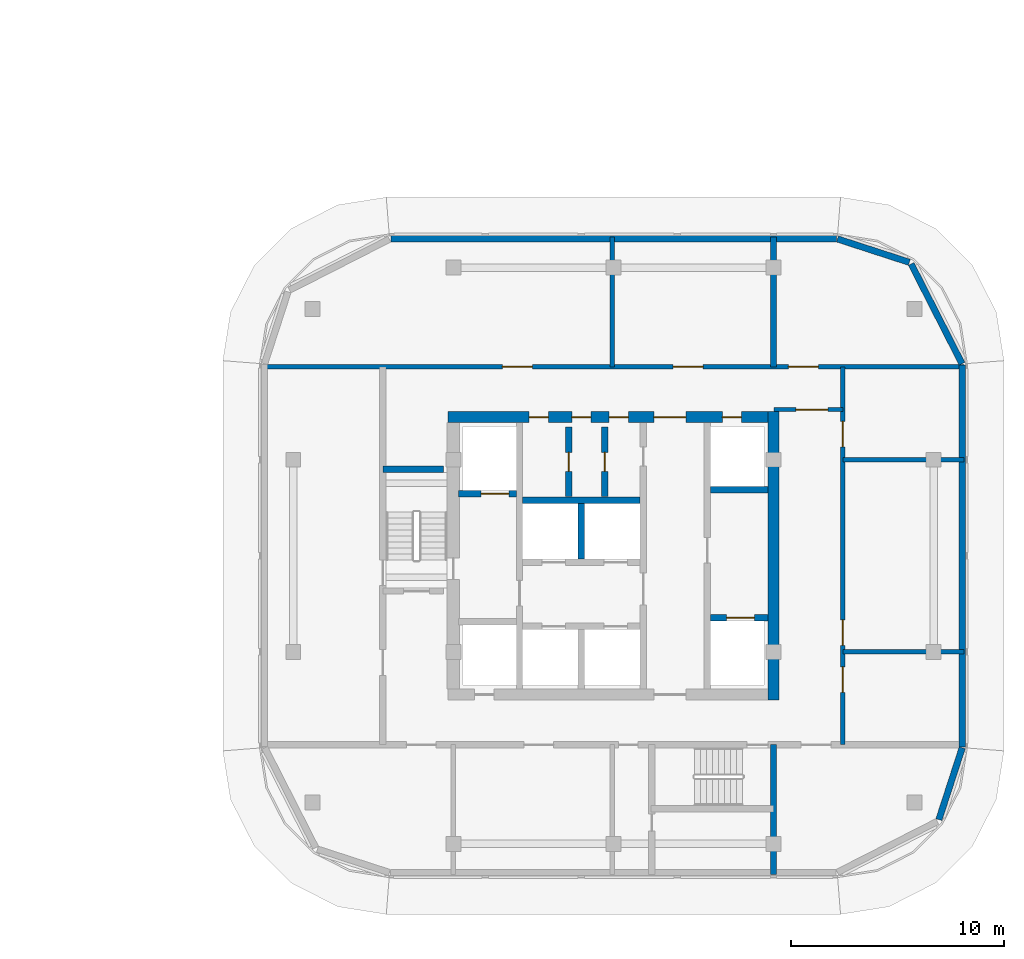
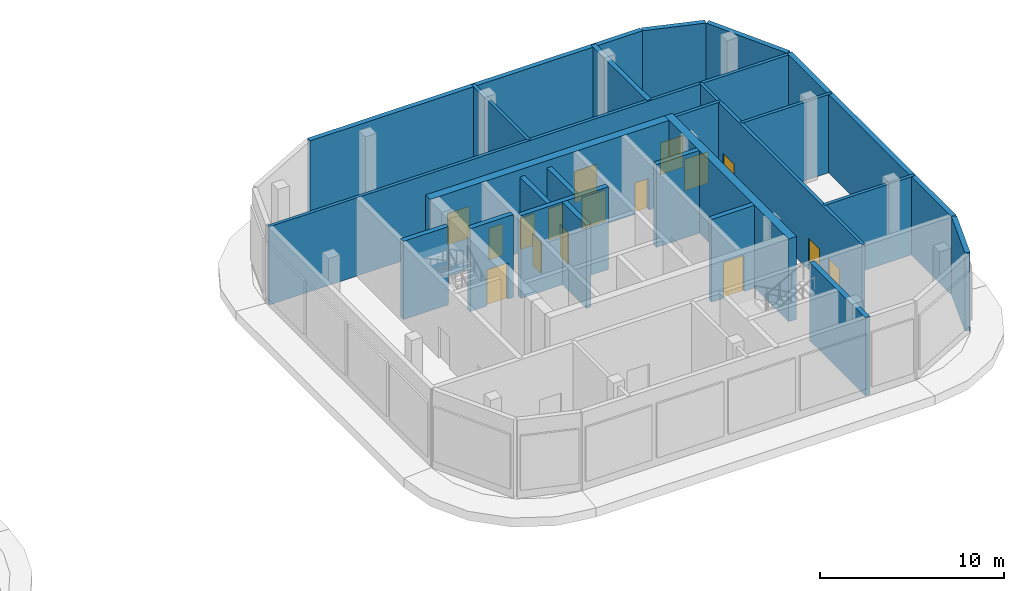
# One storey, part 8 of 23: 23 walls, 16 doors, 16 openings.
"""IFC4 building model written with IfcOpenShell, lengths in metres."""

import ifcopenshell
import ifcopenshell.guid

model = None  # the IFC model being written
_history = None  # IfcOwnerHistory: only IFC2X3 demands one
_inside = {}  # id of a spatial element -> (the spatial element, [elements in it])
_under = {}  # id of a project, library or spatial element -> (it, [spatial elements below it])
_declared = {}  # id of a project -> (the project, [libraries it declares])
_typed = {}  # id of a type object -> (the type object, [elements of that type])
_made_of = {}  # id of a material, layer set ... -> (it, [elements and type objects made of it])


def new_model(schema):
    """Start an empty IFC model of exactly this schema.

    Asked for "IFC4X3", IfcOpenShell would pick the latest addendum, in which some entities
    have other attributes; the version numbers below select the first issue.
    IFC2X3 requires an IfcOwnerHistory on every rooted entity: one is made here for all.
    """
    global model, _history
    if schema == "IFC4X3":
        model = ifcopenshell.file(schema_version=(4, 3, 0, 0))
    else:
        model = ifcopenshell.file(schema=schema)
    _inside.clear()
    _under.clear()
    _declared.clear()
    _typed.clear()
    _made_of.clear()
    _history = None
    if model.schema == "IFC2X3":
        org = make("IfcOrganization", Name="unknown")
        user = make(
            "IfcPersonAndOrganization",
            ThePerson=make("IfcPerson", FamilyName="unknown"),
            TheOrganization=org,
        )
        app = make(
            "IfcApplication",
            ApplicationDeveloper=org,
            Version="unknown",
            ApplicationFullName="unknown",
            ApplicationIdentifier="unknown",
        )
        _history = make(
            "IfcOwnerHistory",
            OwningUser=user,
            OwningApplication=app,
            ChangeAction="ADDED",
            CreationDate=0,
        )
    return model


def make(cls, **values):
    """One entity of the class cls with the attributes given. An attribute that is None is left unset."""
    return model.create_entity(
        cls, **{name: value for name, value in values.items() if value is not None}
    )


def rooted(cls, **values):
    """An entity with a GlobalId (a new one), such as an element, a storey or a relation."""
    return make(cls, GlobalId=ifcopenshell.guid.new(), OwnerHistory=_history, **values)


def si_unit(unit_type, name, prefix=None):
    """IfcSIUnit, for example si_unit("LENGTHUNIT", "METRE", prefix="MILLI")."""
    return make("IfcSIUnit", UnitType=unit_type, Prefix=prefix, Name=name)


def assignment(units):
    """IfcUnitAssignment: the units of a project."""
    return None if units is None else make("IfcUnitAssignment", Units=units)


def point(xyz):
    """IfcCartesianPoint."""
    return None if xyz is None else make("IfcCartesianPoint", Coordinates=xyz)


def direction(xyz):
    """IfcDirection."""
    return None if xyz is None else make("IfcDirection", DirectionRatios=xyz)


def frame(location, z_axis=None, x_axis=None):
    """IfcAxis2Placement3D, a coordinate frame: its origin and axes. An axis left out is left unset."""
    return make(
        "IfcAxis2Placement3D",
        Location=point(location),
        Axis=direction(z_axis),
        RefDirection=direction(x_axis),
    )


def frame_2d(location, x_axis=None):
    """IfcAxis2Placement2D, a coordinate frame in the plane: its origin and x axis."""
    return make(
        "IfcAxis2Placement2D", Location=point(location), RefDirection=direction(x_axis)
    )


def origin():
    """The frame at (0, 0, 0) with its axes left unset."""
    return frame((0.0, 0.0, 0.0))


def place(relative_to, where):
    """IfcLocalPlacement: puts the frame where relative to a parent placement (None: the world)."""
    return make(
        "IfcLocalPlacement", PlacementRelTo=relative_to, RelativePlacement=where
    )


def context(
    kind, dimensions, precision=None, world=None, true_north=None, identifier=None
):
    """IfcGeometricRepresentationContext, for example the 3D "Model" context."""
    return make(
        "IfcGeometricRepresentationContext",
        ContextIdentifier=identifier,
        ContextType=kind,
        CoordinateSpaceDimension=dimensions,
        Precision=precision,
        WorldCoordinateSystem=world,
        TrueNorth=true_north,
    )


def subcontext(parent, identifier, kind, view, scale=None):
    """IfcGeometricRepresentationSubContext, for example "Body" below "Model"."""
    return make(
        "IfcGeometricRepresentationSubContext",
        ContextIdentifier=identifier,
        ContextType=kind,
        ParentContext=parent,
        TargetScale=scale,
        TargetView=view,
    )


def project(units=None, contexts=None):
    """IfcProject with its units and contexts."""
    return rooted(
        "IfcProject",
        Name="project",
        RepresentationContexts=contexts,
        UnitsInContext=assignment(units),
    )


def spatial(cls, under=None, at=None, **own):
    """A site, building, storey or space (cls), placed at a placement, below another one or the project."""
    s = rooted(cls, ObjectPlacement=at, **own)
    if under is not None:
        _under.setdefault(under.id(), (under, []))[1].append(s)
    return s


def profile(cls, at=None, kind="AREA", **sizes):
    """A parametric profile (cls). Its sizes go by their IFC names, for example OverallWidth=200.0."""
    return make(cls, ProfileType=kind, Position=at, **sizes)


def rectangle(**sizes):
    """IfcRectangleProfileDef."""
    return profile("IfcRectangleProfileDef", **sizes)


def extrude(swept, where, along, depth):
    """IfcExtrudedAreaSolid: the profile swept, set in the frame where, extruded along a direction by depth."""
    return make(
        "IfcExtrudedAreaSolid",
        SweptArea=swept,
        Position=where,
        ExtrudedDirection=direction(along),
        Depth=depth,
    )


def shape(context_of_items, identifier, shape_type, items):
    """IfcShapeRepresentation: the items that make up one representation, for example the "Body"."""
    return make(
        "IfcShapeRepresentation",
        ContextOfItems=context_of_items,
        RepresentationIdentifier=identifier,
        RepresentationType=shape_type,
        Items=items,
    )


def material(Name=None, Category=None):
    """IfcMaterial."""
    return make("IfcMaterial", Name=Name, Category=Category)


def layer(
    of_material, thickness, ventilated=None, Name=None, Category=None, Priority=None
):
    """IfcMaterialLayer: one layer of a wall or slab, of a material (None: an air gap)."""
    return make(
        "IfcMaterialLayer",
        Material=of_material,
        LayerThickness=thickness,
        IsVentilated=ventilated,
        Name=Name,
        Category=Category,
        Priority=Priority,
    )


def layer_set(layers, Name=None):
    """IfcMaterialLayerSet."""
    return make("IfcMaterialLayerSet", MaterialLayers=layers, LayerSetName=Name)


def made_of(thing, what):
    """Note that an element or type object is made of a material, layer set ...; save() writes the relation."""
    if what is not None:
        _made_of.setdefault(what.id(), (what, []))[1].append(thing)
    return thing


def type_object(cls, material=None, **own):
    """A type object (cls), such as IfcWallType, which elements share."""
    return made_of(rooted(cls, **own), material)


def element(
    cls,
    number,
    at=None,
    inside=None,
    cuts=None,
    type_object=None,
    material=None,
    context=None,
    identifier="Body",
    shape_type=None,
    held_by="IfcProductDefinitionShape",
    body=None,
    shapes=None,
    **own,
):
    """One element of the class cls, such as IfcWall. Its Tag is "e" and its number.

    at: its placement. inside: the storey or other place that contains it. cuts: it is an
    opening in that element (IfcRelVoidsElement). A single representation is given by context,
    identifier, shape_type and body (its items); several are given by shapes. held_by: the class
    of the entity that holds the representations. save() writes the other relations.
    """
    e = rooted(cls, Tag="e%d" % number, ObjectPlacement=at, **own)
    if body is not None:
        shapes = [shape(context, identifier, shape_type, body)]
    if shapes is not None:
        e.Representation = make(held_by, Representations=shapes)
    if inside is not None:
        _inside.setdefault(inside.id(), (inside, []))[1].append(e)
    if cuts is not None:
        rooted(
            "IfcRelVoidsElement", RelatingBuildingElement=cuts, RelatedOpeningElement=e
        )
    if type_object is not None:
        _typed.setdefault(type_object.id(), (type_object, []))[1].append(e)
    return made_of(e, material)


def fill(opening, filler):
    """IfcRelFillsElement: the door or window that sits in an opening."""
    return rooted(
        "IfcRelFillsElement",
        RelatingOpeningElement=opening,
        RelatedBuildingElement=filler,
    )


def aggregate(whole, parts):
    """IfcRelAggregates: a whole, such as a stair, and the parts it consists of."""
    return rooted("IfcRelAggregates", RelatingObject=whole, RelatedObjects=parts)


def save(model, path):
    """Write the relations noted so far, then the file.

    IfcRelAggregates (storeys below a building ...), IfcRelContainedInSpatialStructure (elements
    in a storey), IfcRelDefinesByType, IfcRelAssociatesMaterial and IfcRelDeclares: one each for
    every whole, place, type object, material and project.
    """
    for whole, parts in _under.values():
        aggregate(whole, parts)
    for where, things in _inside.values():
        rooted(
            "IfcRelContainedInSpatialStructure",
            RelatedElements=things,
            RelatingStructure=where,
        )
    for kind, things in _typed.values():
        rooted("IfcRelDefinesByType", RelatedObjects=things, RelatingType=kind)
    for what, things in _made_of.values():
        rooted("IfcRelAssociatesMaterial", RelatedObjects=things, RelatingMaterial=what)
    for by, libraries in _declared.values():
        rooted("IfcRelDeclares", RelatingContext=by, RelatedDefinitions=libraries)
    model.write(path)


model = new_model("IFC4")

# Units and contexts
model_context = context("Model", 3, precision=1e-05, world=origin(), true_north=direction((0.0, 1.0)))
body_context = subcontext(model_context, "Body", "Model", "MODEL_VIEW")
ifc_project = project(units=[si_unit("LENGTHUNIT", "METRE"), si_unit("AREAUNIT", "SQUARE_METRE"), si_unit("VOLUMEUNIT", "CUBIC_METRE"), si_unit("PLANEANGLEUNIT", "RADIAN"), si_unit("MASSUNIT", "GRAM", prefix="KILO")], contexts=[model_context])

# Site, building, storey
site_placement = place(None, origin())
site = spatial("IfcSite", under=ifc_project, at=site_placement, CompositionType="ELEMENT")
building_placement = place(site_placement, origin())
building = spatial("IfcBuilding", under=site, at=building_placement, Name="Ogive Portal Towers", CompositionType="ELEMENT")
storey_placement = place(building_placement, frame((0.0, 0.0, 81.60009765625)))
storey = spatial("IfcBuildingStorey", under=building, at=storey_placement, Name="L19", CompositionType="ELEMENT", Elevation=81.60009765625)

# Walls
ifc_material_1 = material(Name="Concrete C60/75", Category="concrete")
ifc_layer_1 = layer(ifc_material_1, 0.300048828125)
ifc_layer_set_1 = layer_set([ifc_layer_1], Name="CORE WALL 300 C60")
wall_type_1 = type_object("IfcWallType", Name="CORE WALL 300 C60", PredefinedType="SHEAR", material=ifc_layer_set_1)
wall_1_placement = place(storey_placement, frame((135.0, 30.85009765625, 0.0), z_axis=(0.0, 0.0, 1.0), x_axis=(0.0, 1.0, 0.0)))
element("IfcWall", 1, at=wall_1_placement, inside=storey, type_object=wall_type_1, Name="Tower B core wall BX5 L19", PredefinedType="SHEAR", context=body_context, shape_type="SweptSolid", body=[
    extrude(rectangle(XDim=2.599853515625, YDim=0.300048828125, at=frame_2d((1.2998046875, 0.0))), origin(), (0.0, 0.0, 1.0), 5.5),
])
wall_2_placement = place(storey_placement, frame((132.25, 33.60009765625, 0.0), z_axis=(0.0, 0.0, 1.0), x_axis=(1.0, 0.0, 0.0)))
element("IfcWall", 2, at=wall_2_placement, inside=storey, type_object=wall_type_1, Name="Tower B core wall BY3 L19", PredefinedType="SHEAR", context=body_context, shape_type="SweptSolid", body=[
    extrude(rectangle(XDim=5.5, YDim=0.300048828125, at=frame_2d((2.75, 0.0))), origin(), (0.0, 0.0, 1.0), 5.5),
])

# Wall, opening, door
wall_3_placement = place(storey_placement, frame((129.25, 33.89990234375, 0.0), z_axis=(0.0, 0.0, 1.0), x_axis=(1.0, 0.0, 0.0)))
wall_3 = element("IfcWall", 3, at=wall_3_placement, inside=storey, type_object=wall_type_1, Name="Tower B core wall BY5 L19", PredefinedType="SHEAR", context=body_context, shape_type="SweptSolid", body=[
    extrude(rectangle(XDim=2.699951171875, YDim=0.300048828125, at=frame_2d((1.35009765625, 0.0))), origin(), (0.0, 0.0, 1.0), 5.5),
])
opening_1_placement = place(wall_3_placement, frame((1.050048828125, 0.0, 0.0)))
opening_1 = element("IfcOpeningElement", 4, at=opening_1_placement, cuts=wall_3, Name="Opening B06-031", PredefinedType="OPENING", context=body_context, shape_type="SweptSolid", body=[
    extrude(rectangle(XDim=1.300048828125, YDim=2.39990234375, at=frame_2d((0.64990234375, 1.199951171875))), frame((0.0, 0.16015625, 0.0), z_axis=(0.0, -1.0, 0.0), x_axis=(1.0, 0.0, 0.0)), (0.0, 0.0, 1.0), 0.320068359375),
])
ifc_material_2 = material(Name="Stainless steel", Category="steel")
door_type_1 = type_object("IfcDoorType", Name="DT-LD-1300x2400", OperationType="SLIDING_TO_LEFT", PredefinedType="DOOR", material=ifc_material_2)
door_1_placement = place(opening_1_placement, origin())
door_1 = element("IfcDoor", 5, at=door_1_placement, inside=storey, type_object=door_type_1, Name="Door B06-031", OperationType="SLIDING_TO_LEFT", OverallHeight=2.39990234375, OverallWidth=1.300048828125, PredefinedType="DOOR", context=body_context, shape_type="SweptSolid", body=[
    extrude(rectangle(XDim=1.300048828125, YDim=2.39990234375, at=frame_2d((0.64990234375, 1.199951171875))), frame((0.0, 0.02490234375, 0.0), z_axis=(0.0, -1.0, 0.0), x_axis=(1.0, 0.0, 0.0)), (0.0, 0.0, 1.0), 0.050048828125),
])
fill(opening_1, door_1)

wall_4_placement = place(storey_placement, frame((141.050048828125, 28.10009765625, 0.0), z_axis=(0.0, 0.0, 1.0), x_axis=(1.0, 0.0, 0.0)))
wall_4 = element("IfcWall", 6, at=wall_4_placement, inside=storey, type_object=wall_type_1, Name="Tower B core wall BY6 L19", PredefinedType="SHEAR", context=body_context, shape_type="SweptSolid", body=[
    extrude(rectangle(XDim=2.699951171875, YDim=0.300048828125, at=frame_2d((1.35009765625, 0.0))), origin(), (0.0, 0.0, 1.0), 5.5),
])
opening_2_placement = place(wall_4_placement, frame((0.75, 0.0, 0.0)))
opening_2 = element("IfcOpeningElement", 7, at=opening_2_placement, cuts=wall_4, Name="Opening B06-032", PredefinedType="OPENING", context=body_context, shape_type="SweptSolid", body=[
    extrude(rectangle(XDim=1.300048828125, YDim=2.39990234375, at=frame_2d((0.64990234375, 1.199951171875))), frame((0.0, 0.16015625, 0.0), z_axis=(0.0, -1.0, 0.0), x_axis=(1.0, 0.0, 0.0)), (0.0, 0.0, 1.0), 0.320068359375),
])
door_2_placement = place(opening_2_placement, origin())
door_2 = element("IfcDoor", 8, at=door_2_placement, inside=storey, type_object=door_type_1, Name="Door B06-032", OperationType="SLIDING_TO_LEFT", OverallHeight=2.39990234375, OverallWidth=1.300048828125, PredefinedType="DOOR", context=body_context, shape_type="SweptSolid", body=[
    extrude(rectangle(XDim=1.300048828125, YDim=2.39990234375, at=frame_2d((0.64990234375, 1.199951171875))), frame((0.0, 0.02490234375, 0.0), z_axis=(0.0, -1.0, 0.0), x_axis=(1.0, 0.0, 0.0)), (0.0, 0.0, 1.0), 0.050048828125),
])
fill(opening_2, door_2)

# Walls
wall_5_placement = place(storey_placement, frame((141.050048828125, 34.10009765625, 0.0), z_axis=(0.0, 0.0, 1.0), x_axis=(1.0, 0.0, 0.0)))
element("IfcWall", 9, at=wall_5_placement, inside=storey, type_object=wall_type_1, Name="Tower B core wall BY7 L19", PredefinedType="SHEAR", context=body_context, shape_type="SweptSolid", body=[
    extrude(rectangle(XDim=2.699951171875, YDim=0.300048828125, at=frame_2d((1.35009765625, 0.0))), origin(), (0.0, 0.0, 1.0), 5.5),
])
ifc_layer_2 = layer(ifc_material_1, 0.5)
ifc_layer_set_2 = layer_set([ifc_layer_2], Name="CORE WALL 500 C60")
wall_type_2 = type_object("IfcWallType", Name="CORE WALL 500 C60", PredefinedType="SHEAR", material=ifc_layer_set_2)
wall_6_placement = place(storey_placement, frame((144.0, 24.25, 0.0), z_axis=(0.0, 0.0, 1.0), x_axis=(0.0, 1.0, 0.0)))
element("IfcWall", 10, at=wall_6_placement, inside=storey, type_object=wall_type_2, Name="Tower B core wall BE L19", PredefinedType="SHEAR", context=body_context, shape_type="SweptSolid", body=[
    extrude(rectangle(XDim=13.5, YDim=0.5, at=frame_2d((6.75, 0.0))), origin(), (0.0, 0.0, 1.0), 5.5),
])

# Wall, openings, doors
wall_7_placement = place(storey_placement, frame((128.75, 37.5, 0.0), z_axis=(0.0, 0.0, 1.0), x_axis=(1.0, 0.0, 0.0)))
wall_7 = element("IfcWall", 11, at=wall_7_placement, inside=storey, type_object=wall_type_2, Name="Tower B core wall BN L19", PredefinedType="SHEAR", context=body_context, shape_type="SweptSolid", body=[
    extrude(rectangle(XDim=15.0, YDim=0.5, at=frame_2d((7.5, 0.0))), origin(), (0.0, 0.0, 1.0), 5.5),
])
opening_3_placement = place(wall_7_placement, frame((9.64990234375, 0.0, 0.0)))
opening_3 = element("IfcOpeningElement", 12, at=opening_3_placement, cuts=wall_7, Name="Opening B06-024", PredefinedType="OPENING", context=body_context, shape_type="SweptSolid", body=[
    extrude(rectangle(XDim=1.5, YDim=2.10009765625, at=frame_2d((0.75, 1.050048828125))), frame((0.0, 0.260009765625, 0.0), z_axis=(0.0, -1.0, 0.0), x_axis=(1.0, 0.0, 0.0)), (0.0, 0.0, 1.0), 0.52001953125),
])
opening_4_placement = place(wall_7_placement, frame((12.85009765625, 0.0, 0.0)))
opening_4 = element("IfcOpeningElement", 13, at=opening_4_placement, cuts=wall_7, Name="Opening B06-026", PredefinedType="OPENING", context=body_context, shape_type="SweptSolid", body=[
    extrude(rectangle(XDim=0.89990234375, YDim=2.10009765625, at=frame_2d((0.449951171875, 1.050048828125))), frame((0.0, 0.260009765625, 0.0), z_axis=(0.0, -1.0, 0.0), x_axis=(1.0, 0.0, 0.0)), (0.0, 0.0, 1.0), 0.52001953125),
])
opening_5_placement = place(wall_7_placement, frame((3.800048828125, 0.0, 0.0)))
opening_5 = element("IfcOpeningElement", 14, at=opening_5_placement, cuts=wall_7, Name="Opening B06-033", PredefinedType="OPENING", context=body_context, shape_type="SweptSolid", body=[
    extrude(rectangle(XDim=0.89990234375, YDim=2.10009765625, at=frame_2d((0.449951171875, 1.050048828125))), frame((0.0, 0.260009765625, 0.0), z_axis=(0.0, -1.0, 0.0), x_axis=(1.0, 0.0, 0.0)), (0.0, 0.0, 1.0), 0.52001953125),
])
opening_6_placement = place(wall_7_placement, frame((5.800048828125, 0.0, 0.0)))
opening_6 = element("IfcOpeningElement", 15, at=opening_6_placement, cuts=wall_7, Name="Opening B06-034", PredefinedType="OPENING", context=body_context, shape_type="SweptSolid", body=[
    extrude(rectangle(XDim=0.89990234375, YDim=2.10009765625, at=frame_2d((0.449951171875, 1.050048828125))), frame((0.0, 0.260009765625, 0.0), z_axis=(0.0, -1.0, 0.0), x_axis=(1.0, 0.0, 0.0)), (0.0, 0.0, 1.0), 0.52001953125),
])
opening_7_placement = place(wall_7_placement, frame((7.550048828125, 0.0, 0.0)))
opening_7 = element("IfcOpeningElement", 16, at=opening_7_placement, cuts=wall_7, Name="Opening B06-035", PredefinedType="OPENING", context=body_context, shape_type="SweptSolid", body=[
    extrude(rectangle(XDim=0.89990234375, YDim=2.10009765625, at=frame_2d((0.449951171875, 1.050048828125))), frame((0.0, 0.260009765625, 0.0), z_axis=(0.0, -1.0, 0.0), x_axis=(1.0, 0.0, 0.0)), (0.0, 0.0, 1.0), 0.52001953125),
])
ifc_material_3 = material(Name="Steel fire door", Category="steel")
door_type_2 = type_object("IfcDoorType", Name="DT-SWING-1500x2100-FD90S", OperationType="SINGLE_SWING_LEFT", PredefinedType="DOOR", material=ifc_material_3)
door_3_placement = place(opening_3_placement, origin())
door_3 = element("IfcDoor", 17, at=door_3_placement, inside=storey, type_object=door_type_2, Name="Door B06-024", OperationType="SINGLE_SWING_RIGHT", OverallHeight=2.10009765625, OverallWidth=1.5, PredefinedType="DOOR", context=body_context, shape_type="SweptSolid", body=[
    extrude(rectangle(XDim=1.5, YDim=2.10009765625, at=frame_2d((0.75, 1.050048828125))), frame((0.0, 0.02490234375, 0.0), z_axis=(0.0, -1.0, 0.0), x_axis=(1.0, 0.0, 0.0)), (0.0, 0.0, 1.0), 0.050048828125),
])
fill(opening_3, door_3)
door_type_3 = type_object("IfcDoorType", Name="DT-SWING-900x2100-FD90S", OperationType="SINGLE_SWING_LEFT", PredefinedType="DOOR", material=ifc_material_3)
door_4_placement = place(opening_4_placement, origin())
door_4 = element("IfcDoor", 18, at=door_4_placement, inside=storey, type_object=door_type_3, Name="Riser access door B06-026", OperationType="SINGLE_SWING_RIGHT", OverallHeight=2.10009765625, OverallWidth=0.89990234375, PredefinedType="DOOR", context=body_context, shape_type="SweptSolid", body=[
    extrude(rectangle(XDim=0.89990234375, YDim=2.10009765625, at=frame_2d((0.449951171875, 1.050048828125))), frame((0.0, 0.02490234375, 0.0), z_axis=(0.0, -1.0, 0.0), x_axis=(1.0, 0.0, 0.0)), (0.0, 0.0, 1.0), 0.050048828125),
])
fill(opening_4, door_4)
door_5_placement = place(opening_5_placement, origin())
door_5 = element("IfcDoor", 19, at=door_5_placement, inside=storey, type_object=door_type_3, Name="Door B06-033", OperationType="SINGLE_SWING_LEFT", OverallHeight=2.10009765625, OverallWidth=0.89990234375, PredefinedType="DOOR", context=body_context, shape_type="SweptSolid", body=[
    extrude(rectangle(XDim=0.89990234375, YDim=2.10009765625, at=frame_2d((0.449951171875, 1.050048828125))), frame((0.0, 0.02490234375, 0.0), z_axis=(0.0, -1.0, 0.0), x_axis=(1.0, 0.0, 0.0)), (0.0, 0.0, 1.0), 0.050048828125),
])
fill(opening_5, door_5)
door_6_placement = place(opening_6_placement, origin())
door_6 = element("IfcDoor", 20, at=door_6_placement, inside=storey, type_object=door_type_3, Name="Door B06-034", OperationType="SINGLE_SWING_RIGHT", OverallHeight=2.10009765625, OverallWidth=0.89990234375, PredefinedType="DOOR", context=body_context, shape_type="SweptSolid", body=[
    extrude(rectangle(XDim=0.89990234375, YDim=2.10009765625, at=frame_2d((0.449951171875, 1.050048828125))), frame((0.0, 0.02490234375, 0.0), z_axis=(0.0, -1.0, 0.0), x_axis=(1.0, 0.0, 0.0)), (0.0, 0.0, 1.0), 0.050048828125),
])
fill(opening_6, door_6)
door_7_placement = place(opening_7_placement, origin())
door_7 = element("IfcDoor", 21, at=door_7_placement, inside=storey, type_object=door_type_3, Name="Door B06-035", OperationType="SINGLE_SWING_LEFT", OverallHeight=2.10009765625, OverallWidth=0.89990234375, PredefinedType="DOOR", context=body_context, shape_type="SweptSolid", body=[
    extrude(rectangle(XDim=0.89990234375, YDim=2.10009765625, at=frame_2d((0.449951171875, 1.050048828125))), frame((0.0, 0.02490234375, 0.0), z_axis=(0.0, -1.0, 0.0), x_axis=(1.0, 0.0, 0.0)), (0.0, 0.0, 1.0), 0.050048828125),
])
fill(opening_7, door_7)

# Walls
ifc_material_4 = material(Name="Limestone cladding on lightweight block wall", Category="masonry")
ifc_layer_3 = layer(ifc_material_4, 0.300048828125)
ifc_layer_set_3 = layer_set([ifc_layer_3], Name="EXTERNAL WALL 300 STONE")
wall_type_3 = type_object("IfcWallType", Name="EXTERNAL WALL 300 STONE", PredefinedType="SOLIDWALL", material=ifc_layer_set_3)
wall_8_placement = place(storey_placement, frame((151.749755859375, 18.637939453125, 0.0), z_axis=(0.0, 0.0, 1.0), x_axis=(0.309073584194, 0.951038127287, 0.0)))
element("IfcWall", 22, at=wall_8_placement, inside=storey, type_object=wall_type_3, Name="B:L19:f04:r0:wall", PredefinedType="SOLIDWALL", context=body_context, shape_type="SweptSolid", body=[
    extrude(rectangle(XDim=3.536376953125, YDim=0.300048828125, at=frame_2d((1.76806640625, 0.0))), origin(), (0.0, 0.0, 1.0), 5.199951171875),
])
wall_9_placement = place(storey_placement, frame((152.85009765625, 22.047607421875, 0.0), z_axis=(0.0, 0.0, 1.0), x_axis=(0.0, 1.0, 0.0)))
element("IfcWall", 23, at=wall_9_placement, inside=storey, type_object=wall_type_3, Name="B:L19:f05:r0:wall", PredefinedType="SOLIDWALL", context=body_context, shape_type="SweptSolid", body=[
    extrude(rectangle(XDim=17.88037109375, YDim=0.300048828125, at=frame_2d((8.940185546875, 0.0))), origin(), (0.0, 0.0, 1.0), 5.199951171875),
])
wall_10_placement = place(storey_placement, frame((152.833740234375, 39.99609375, 0.0), z_axis=(0.0, 0.0, 1.0), x_axis=(-0.454006562826, 0.890998339455, 0.0)))
element("IfcWall", 24, at=wall_10_placement, inside=storey, type_object=wall_type_3, Name="B:L19:f06:r0:wall", PredefinedType="SOLIDWALL", context=body_context, shape_type="SweptSolid", body=[
    extrude(rectangle(XDim=5.251708984375, YDim=0.300048828125, at=frame_2d((2.6259765625, 0.0))), origin(), (0.0, 0.0, 1.0), 5.199951171875),
])
wall_11_placement = place(storey_placement, frame((150.362060546875, 44.749755859375, 0.0), z_axis=(0.0, 0.0, 1.0), x_axis=(-0.951038127287, 0.309073584194, 0.0)))
element("IfcWall", 25, at=wall_11_placement, inside=storey, type_object=wall_type_3, Name="B:L19:f07:r0:wall", PredefinedType="SOLIDWALL", context=body_context, shape_type="SweptSolid", body=[
    extrude(rectangle(XDim=3.536376953125, YDim=0.300048828125, at=frame_2d((1.76806640625, 0.0))), origin(), (0.0, 0.0, 1.0), 5.199951171875),
])
wall_12_placement = place(storey_placement, frame((146.952392578125, 45.85009765625, 0.0), z_axis=(0.0, 0.0, 1.0), x_axis=(-1.0, 0.0, 0.0)))
element("IfcWall", 26, at=wall_12_placement, inside=storey, type_object=wall_type_3, Name="B:L19:f08:r0:wall", PredefinedType="SOLIDWALL", context=body_context, shape_type="SweptSolid", body=[
    extrude(rectangle(XDim=20.88037109375, YDim=0.300048828125, at=frame_2d((10.440185546875, 0.0))), origin(), (0.0, 0.0, 1.0), 5.199951171875),
])
ifc_material_5 = material(Name="Concrete C50/60", Category="concrete")
ifc_layer_4 = layer(ifc_material_5, 0.300048828125)
ifc_layer_set_4 = layer_set([ifc_layer_4], Name="STAIR WALL 300 C50")
wall_type_4 = type_object("IfcWallType", Name="STAIR WALL 300 C50", PredefinedType="SHEAR", material=ifc_layer_set_4)
wall_13_placement = place(storey_placement, frame((125.699951171875, 35.050048828125, 0.0), z_axis=(0.0, 0.0, 1.0), x_axis=(1.0, 0.0, 0.0)))
element("IfcWall", 27, at=wall_13_placement, inside=storey, type_object=wall_type_4, Name="Stair wall ST-B1 L19", PredefinedType="SHEAR", context=body_context, shape_type="SweptSolid", body=[
    extrude(rectangle(XDim=2.830078125, YDim=0.300048828125, at=frame_2d((1.4150390625, 0.0))), origin(), (0.0, 0.0, 1.0), 5.199951171875),
])
wall_14_placement = place(storey_placement, frame((144.0, 16.070068359375, 0.0), z_axis=(0.0, 0.0, 1.0), x_axis=(0.0, 1.0, 0.0)))
element("IfcWall", 28, at=wall_14_placement, inside=storey, type_object=wall_type_4, Name="Stair wall ST-B2 L19", PredefinedType="SHEAR", context=body_context, shape_type="SweptSolid", body=[
    extrude(rectangle(XDim=6.079833984375, YDim=0.300048828125, at=frame_2d((3.0400390625, 0.0))), origin(), (0.0, 0.0, 1.0), 5.199951171875),
])
ifc_material_6 = material(Name="Gypsum board partition on steel studs", Category="steel")
ifc_layer_5 = layer(ifc_material_6, 0.199951171875)
ifc_layer_set_5 = layer_set([ifc_layer_5], Name="WT-PART-200-EI 60")
wall_type_5 = type_object("IfcWallType", Name="WT-PART-200-EI 60", PredefinedType="PARTITIONING", material=ifc_layer_set_5)
for number, where, z_axis, x_axis, name in (
    (29, (147.25, 26.5, 0.0), (0.0, 0.0, 1.0), (1.0, 0.0, 0.0), "Wall L19:w005"),
    (30, (147.25, 35.5, 0.0), (0.0, 0.0, 1.0), (1.0, 0.0, 0.0), "Wall L19:w008"),
):
    element("IfcWall", number, at=place(storey_placement, frame(where, z_axis=z_axis, x_axis=x_axis)), inside=storey, type_object=wall_type_5, Name=name, PredefinedType="PARTITIONING", context=body_context, shape_type="SweptSolid", body=[
        extrude(rectangle(XDim=5.679931640625, YDim=0.199951171875, at=frame_2d((2.83984375, 0.0))), origin(), (0.0, 0.0, 1.0), 5.199951171875),
    ])

# Wall, opening, door
wall_15_placement = place(storey_placement, frame((144.02001953125, 37.85009765625, 0.0), z_axis=(0.0, 0.0, 1.0), x_axis=(1.0, 0.0, 0.0)))
wall_15 = element("IfcWall", 31, at=wall_15_placement, inside=storey, type_object=wall_type_5, Name="Wall L19:w010", PredefinedType="PARTITIONING", context=body_context, shape_type="SweptSolid", body=[
    extrude(rectangle(XDim=3.22998046875, YDim=0.199951171875, at=frame_2d((1.614990234375, 0.0))), origin(), (0.0, 0.0, 1.0), 5.199951171875),
])
opening_8_placement = place(wall_15_placement, frame((1.030029296875, 0.0, 0.0)))
opening_8 = element("IfcOpeningElement", 32, at=opening_8_placement, cuts=wall_15, Name="Opening B06-001", PredefinedType="OPENING", context=body_context, shape_type="SweptSolid", body=[
    extrude(rectangle(XDim=1.5, YDim=2.10009765625, at=frame_2d((0.75, 1.050048828125))), frame((0.0, 0.10986328125, 0.0), z_axis=(0.0, -1.0, 0.0), x_axis=(1.0, 0.0, 0.0)), (0.0, 0.0, 1.0), 0.219970703125),
])
door_type_4 = type_object("IfcDoorType", Name="DT-SWING-1500x2100-FD60S", OperationType="SINGLE_SWING_LEFT", PredefinedType="DOOR", material=ifc_material_3)
door_8_placement = place(opening_8_placement, origin())
door_8 = element("IfcDoor", 33, at=door_8_placement, inside=storey, type_object=door_type_4, Name="Door B06-001", OperationType="SINGLE_SWING_LEFT", OverallHeight=2.10009765625, OverallWidth=1.5, PredefinedType="DOOR", context=body_context, shape_type="SweptSolid", body=[
    extrude(rectangle(XDim=1.5, YDim=2.10009765625, at=frame_2d((0.75, 1.050048828125))), frame((0.0, 0.02490234375, 0.0), z_axis=(0.0, -1.0, 0.0), x_axis=(1.0, 0.0, 0.0)), (0.0, 0.0, 1.0), 0.050048828125),
])
fill(opening_8, door_8)

# Wall, openings, doors
wall_16_placement = place(storey_placement, frame((120.070068359375, 39.85009765625, 0.0), z_axis=(0.0, 0.0, 1.0), x_axis=(1.0, 0.0, 0.0)))
wall_16 = element("IfcWall", 34, at=wall_16_placement, inside=storey, type_object=wall_type_5, Name="Wall L19:w011", PredefinedType="PARTITIONING", context=body_context, shape_type="SweptSolid", body=[
    extrude(rectangle(XDim=32.85986328125, YDim=0.199951171875, at=frame_2d((16.429931640625, 0.0))), origin(), (0.0, 0.0, 1.0), 5.199951171875),
])
opening_9_placement = place(wall_16_placement, frame((11.22998046875, 0.0, 0.0)))
opening_9 = element("IfcOpeningElement", 35, at=opening_9_placement, cuts=wall_16, Name="Opening B06-006", PredefinedType="OPENING", context=body_context, shape_type="SweptSolid", body=[
    extrude(rectangle(XDim=1.39990234375, YDim=2.10009765625, at=frame_2d((0.699951171875, 1.050048828125))), frame((0.0, 0.10986328125, 0.0), z_axis=(0.0, -1.0, 0.0), x_axis=(1.0, 0.0, 0.0)), (0.0, 0.0, 1.0), 0.219970703125),
])
opening_10_placement = place(wall_16_placement, frame((19.22998046875, 0.0, 0.0)))
opening_10 = element("IfcOpeningElement", 36, at=opening_10_placement, cuts=wall_16, Name="Opening B06-007", PredefinedType="OPENING", context=body_context, shape_type="SweptSolid", body=[
    extrude(rectangle(XDim=1.39990234375, YDim=2.10009765625, at=frame_2d((0.699951171875, 1.050048828125))), frame((0.0, 0.10986328125, 0.0), z_axis=(0.0, -1.0, 0.0), x_axis=(1.0, 0.0, 0.0)), (0.0, 0.0, 1.0), 0.219970703125),
])
opening_11_placement = place(wall_16_placement, frame((24.6298828125, 0.0, 0.0)))
opening_11 = element("IfcOpeningElement", 37, at=opening_11_placement, cuts=wall_16, Name="Opening B06-008", PredefinedType="OPENING", context=body_context, shape_type="SweptSolid", body=[
    extrude(rectangle(XDim=1.39990234375, YDim=2.10009765625, at=frame_2d((0.699951171875, 1.050048828125))), frame((0.0, 0.10986328125, 0.0), z_axis=(0.0, -1.0, 0.0), x_axis=(1.0, 0.0, 0.0)), (0.0, 0.0, 1.0), 0.219970703125),
])
door_type_5 = type_object("IfcDoorType", Name="DT-SWING-1400x2100-FD60S", OperationType="SINGLE_SWING_LEFT", PredefinedType="DOOR", material=ifc_material_3)
door_9_placement = place(opening_9_placement, origin())
door_9 = element("IfcDoor", 38, at=door_9_placement, inside=storey, type_object=door_type_5, Name="Door B06-006", OperationType="SINGLE_SWING_RIGHT", OverallHeight=2.10009765625, OverallWidth=1.39990234375, PredefinedType="DOOR", context=body_context, shape_type="SweptSolid", body=[
    extrude(rectangle(XDim=1.39990234375, YDim=2.10009765625, at=frame_2d((0.699951171875, 1.050048828125))), frame((0.0, 0.02490234375, 0.0), z_axis=(0.0, -1.0, 0.0), x_axis=(1.0, 0.0, 0.0)), (0.0, 0.0, 1.0), 0.050048828125),
])
fill(opening_9, door_9)
door_10_placement = place(opening_10_placement, origin())
door_10 = element("IfcDoor", 39, at=door_10_placement, inside=storey, type_object=door_type_5, Name="Door B06-007", OperationType="SINGLE_SWING_LEFT", OverallHeight=2.10009765625, OverallWidth=1.39990234375, PredefinedType="DOOR", context=body_context, shape_type="SweptSolid", body=[
    extrude(rectangle(XDim=1.39990234375, YDim=2.10009765625, at=frame_2d((0.699951171875, 1.050048828125))), frame((0.0, 0.02490234375, 0.0), z_axis=(0.0, -1.0, 0.0), x_axis=(1.0, 0.0, 0.0)), (0.0, 0.0, 1.0), 0.050048828125),
])
fill(opening_10, door_10)
door_11_placement = place(opening_11_placement, origin())
door_11 = element("IfcDoor", 40, at=door_11_placement, inside=storey, type_object=door_type_5, Name="Door B06-008", OperationType="SINGLE_SWING_RIGHT", OverallHeight=2.10009765625, OverallWidth=1.39990234375, PredefinedType="DOOR", context=body_context, shape_type="SweptSolid", body=[
    extrude(rectangle(XDim=1.39990234375, YDim=2.10009765625, at=frame_2d((0.699951171875, 1.050048828125))), frame((0.0, 0.02490234375, 0.0), z_axis=(0.0, -1.0, 0.0), x_axis=(1.0, 0.0, 0.0)), (0.0, 0.0, 1.0), 0.050048828125),
])
fill(opening_11, door_11)

# Wall
wall_17_placement = place(storey_placement, frame((136.449951171875, 39.85009765625, 0.0), z_axis=(0.0, 0.0, 1.0), x_axis=(0.0, 1.0, 0.0)))
element("IfcWall", 41, at=wall_17_placement, inside=storey, type_object=wall_type_5, Name="Wall L19:w019", PredefinedType="PARTITIONING", context=body_context, shape_type="SweptSolid", body=[
    extrude(rectangle(XDim=6.079833984375, YDim=0.199951171875, at=frame_2d((3.0400390625, 0.0))), origin(), (0.0, 0.0, 1.0), 5.199951171875),
])

# Wall, openings, doors
wall_18_placement = place(storey_placement, frame((147.25, 22.14990234375, 0.0), z_axis=(0.0, 0.0, 1.0), x_axis=(0.0, 1.0, 0.0)))
wall_18 = element("IfcWall", 42, at=wall_18_placement, inside=storey, type_object=wall_type_5, Name="Wall L19:w025", PredefinedType="PARTITIONING", context=body_context, shape_type="SweptSolid", body=[
    extrude(rectangle(XDim=17.7001953125, YDim=0.199951171875, at=frame_2d((8.85009765625, 0.0))), origin(), (0.0, 0.0, 1.0), 5.199951171875),
])
opening_12_placement = place(wall_18_placement, frame((2.449951171875, 0.0, 0.0)))
opening_12 = element("IfcOpeningElement", 43, at=opening_12_placement, cuts=wall_18, Name="Opening B06-016", PredefinedType="OPENING", context=body_context, shape_type="SweptSolid", body=[
    extrude(rectangle(XDim=1.199951171875, YDim=2.10009765625, at=frame_2d((0.60009765625, 1.050048828125))), frame((0.0, 0.10986328125, 0.0), z_axis=(0.0, -1.0, 0.0), x_axis=(1.0, 0.0, 0.0)), (0.0, 0.0, 1.0), 0.219970703125),
])
opening_13_placement = place(wall_18_placement, frame((4.64990234375, 0.0, 0.0)))
opening_13 = element("IfcOpeningElement", 44, at=opening_13_placement, cuts=wall_18, Name="Opening B06-017", PredefinedType="OPENING", context=body_context, shape_type="SweptSolid", body=[
    extrude(rectangle(XDim=1.199951171875, YDim=2.10009765625, at=frame_2d((0.60009765625, 1.050048828125))), frame((0.0, 0.10986328125, 0.0), z_axis=(0.0, -1.0, 0.0), x_axis=(1.0, 0.0, 0.0)), (0.0, 0.0, 1.0), 0.219970703125),
])
opening_14_placement = place(wall_18_placement, frame((13.949951171875, 0.0, 0.0)))
opening_14 = element("IfcOpeningElement", 45, at=opening_14_placement, cuts=wall_18, Name="Opening B06-018", PredefinedType="OPENING", context=body_context, shape_type="SweptSolid", body=[
    extrude(rectangle(XDim=1.199951171875, YDim=2.10009765625, at=frame_2d((0.60009765625, 1.050048828125))), frame((0.0, 0.10986328125, 0.0), z_axis=(0.0, -1.0, 0.0), x_axis=(1.0, 0.0, 0.0)), (0.0, 0.0, 1.0), 0.219970703125),
])
door_type_6 = type_object("IfcDoorType", Name="DT-SWING-1200x2100-FD60S", OperationType="SINGLE_SWING_LEFT", PredefinedType="DOOR", material=ifc_material_3)
door_12_placement = place(opening_12_placement, origin())
door_12 = element("IfcDoor", 46, at=door_12_placement, inside=storey, type_object=door_type_6, Name="Door B06-016", OperationType="SINGLE_SWING_RIGHT", OverallHeight=2.10009765625, OverallWidth=1.199951171875, PredefinedType="DOOR", context=body_context, shape_type="SweptSolid", body=[
    extrude(rectangle(XDim=1.199951171875, YDim=2.10009765625, at=frame_2d((0.60009765625, 1.050048828125))), frame((0.0, 0.02490234375, 0.0), z_axis=(0.0, -1.0, 0.0), x_axis=(1.0, 0.0, 0.0)), (0.0, 0.0, 1.0), 0.050048828125),
])
fill(opening_12, door_12)
door_13_placement = place(opening_13_placement, origin())
door_13 = element("IfcDoor", 47, at=door_13_placement, inside=storey, type_object=door_type_6, Name="Door B06-017", OperationType="SINGLE_SWING_LEFT", OverallHeight=2.10009765625, OverallWidth=1.199951171875, PredefinedType="DOOR", context=body_context, shape_type="SweptSolid", body=[
    extrude(rectangle(XDim=1.199951171875, YDim=2.10009765625, at=frame_2d((0.60009765625, 1.050048828125))), frame((0.0, 0.02490234375, 0.0), z_axis=(0.0, -1.0, 0.0), x_axis=(1.0, 0.0, 0.0)), (0.0, 0.0, 1.0), 0.050048828125),
])
fill(opening_13, door_13)
door_14_placement = place(opening_14_placement, origin())
door_14 = element("IfcDoor", 48, at=door_14_placement, inside=storey, type_object=door_type_6, Name="Door B06-018", OperationType="SINGLE_SWING_RIGHT", OverallHeight=2.10009765625, OverallWidth=1.199951171875, PredefinedType="DOOR", context=body_context, shape_type="SweptSolid", body=[
    extrude(rectangle(XDim=1.199951171875, YDim=2.10009765625, at=frame_2d((0.60009765625, 1.050048828125))), frame((0.0, 0.02490234375, 0.0), z_axis=(0.0, -1.0, 0.0), x_axis=(1.0, 0.0, 0.0)), (0.0, 0.0, 1.0), 0.050048828125),
])
fill(opening_14, door_14)

# Wall
ifc_layer_6 = layer(ifc_material_6, 0.300048828125)
ifc_layer_set_6 = layer_set([ifc_layer_6], Name="WT-PART-300-EI 120")
wall_type_6 = type_object("IfcWallType", Name="WT-PART-300-EI 120", PredefinedType="PARTITIONING", material=ifc_layer_set_6)
wall_19_placement = place(storey_placement, frame((144.0, 39.85009765625, 0.0), z_axis=(0.0, 0.0, 1.0), x_axis=(0.0, 1.0, 0.0)))
element("IfcWall", 49, at=wall_19_placement, inside=storey, type_object=wall_type_6, Name="Wall L19:w022", PredefinedType="PARTITIONING", context=body_context, shape_type="SweptSolid", body=[
    extrude(rectangle(XDim=6.079833984375, YDim=0.300048828125, at=frame_2d((3.0400390625, 0.0))), origin(), (0.0, 0.0, 1.0), 5.199951171875),
])

# Wall, opening, door
ifc_layer_7 = layer(ifc_material_6, 0.300048828125)
ifc_layer_set_7 = layer_set([ifc_layer_7], Name="WT-PART-300-EI 60")
wall_type_7 = type_object("IfcWallType", Name="WT-PART-300-EI 60", PredefinedType="PARTITIONING", material=ifc_layer_set_7)
wall_20_placement = place(storey_placement, frame((134.39990234375, 33.77001953125, 0.0), z_axis=(0.0, 0.0, 1.0), x_axis=(0.0, 1.0, 0.0)))
wall_20 = element("IfcWall", 50, at=wall_20_placement, inside=storey, type_object=wall_type_7, Name="Wall L19:w016", PredefinedType="PARTITIONING", context=body_context, shape_type="SweptSolid", body=[
    extrude(rectangle(XDim=3.260009765625, YDim=0.300048828125, at=frame_2d((1.6298828125, 0.0))), origin(), (0.0, 0.0, 1.0), 5.199951171875),
])
opening_15_placement = place(wall_20_placement, frame((1.179931640625, 0.0, 0.0)))
opening_15 = element("IfcOpeningElement", 51, at=opening_15_placement, cuts=wall_20, Name="Opening B06-004", PredefinedType="OPENING", context=body_context, shape_type="SweptSolid", body=[
    extrude(rectangle(XDim=0.89990234375, YDim=2.10009765625, at=frame_2d((0.449951171875, 1.050048828125))), frame((0.0, 0.16015625, 0.0), z_axis=(0.0, -1.0, 0.0), x_axis=(1.0, 0.0, 0.0)), (0.0, 0.0, 1.0), 0.320068359375),
])
door_type_7 = type_object("IfcDoorType", Name="DT-SWING-900x2100-FD60S", OperationType="SINGLE_SWING_LEFT", PredefinedType="DOOR", material=ifc_material_3)
door_15_placement = place(opening_15_placement, origin())
door_15 = element("IfcDoor", 52, at=door_15_placement, inside=storey, type_object=door_type_7, Name="Door B06-004", OperationType="SINGLE_SWING_RIGHT", OverallHeight=2.10009765625, OverallWidth=0.89990234375, PredefinedType="DOOR", context=body_context, shape_type="SweptSolid", body=[
    extrude(rectangle(XDim=0.89990234375, YDim=2.10009765625, at=frame_2d((0.449951171875, 1.050048828125))), frame((0.0, 0.02490234375, 0.0), z_axis=(0.0, -1.0, 0.0), x_axis=(1.0, 0.0, 0.0)), (0.0, 0.0, 1.0), 0.050048828125),
])
fill(opening_15, door_15)

wall_21_placement = place(storey_placement, frame((136.10009765625, 33.77001953125, 0.0), z_axis=(0.0, 0.0, 1.0), x_axis=(0.0, 1.0, 0.0)))
wall_21 = element("IfcWall", 53, at=wall_21_placement, inside=storey, type_object=wall_type_7, Name="Wall L19:w017", PredefinedType="PARTITIONING", context=body_context, shape_type="SweptSolid", body=[
    extrude(rectangle(XDim=3.260009765625, YDim=0.300048828125, at=frame_2d((1.6298828125, 0.0))), origin(), (0.0, 0.0, 1.0), 5.199951171875),
])
opening_16_placement = place(wall_21_placement, frame((1.179931640625, 0.0, 0.0)))
opening_16 = element("IfcOpeningElement", 54, at=opening_16_placement, cuts=wall_21, Name="Opening B06-005", PredefinedType="OPENING", context=body_context, shape_type="SweptSolid", body=[
    extrude(rectangle(XDim=0.89990234375, YDim=2.10009765625, at=frame_2d((0.449951171875, 1.050048828125))), frame((0.0, 0.16015625, 0.0), z_axis=(0.0, -1.0, 0.0), x_axis=(1.0, 0.0, 0.0)), (0.0, 0.0, 1.0), 0.320068359375),
])
door_16_placement = place(opening_16_placement, origin())
door_16 = element("IfcDoor", 55, at=door_16_placement, inside=storey, type_object=door_type_7, Name="Door B06-005", OperationType="SINGLE_SWING_LEFT", OverallHeight=2.10009765625, OverallWidth=0.89990234375, PredefinedType="DOOR", context=body_context, shape_type="SweptSolid", body=[
    extrude(rectangle(XDim=0.89990234375, YDim=2.10009765625, at=frame_2d((0.449951171875, 1.050048828125))), frame((0.0, 0.02490234375, 0.0), z_axis=(0.0, -1.0, 0.0), x_axis=(1.0, 0.0, 0.0)), (0.0, 0.0, 1.0), 0.050048828125),
])
fill(opening_16, door_16)

save(model, "model.ifc")
